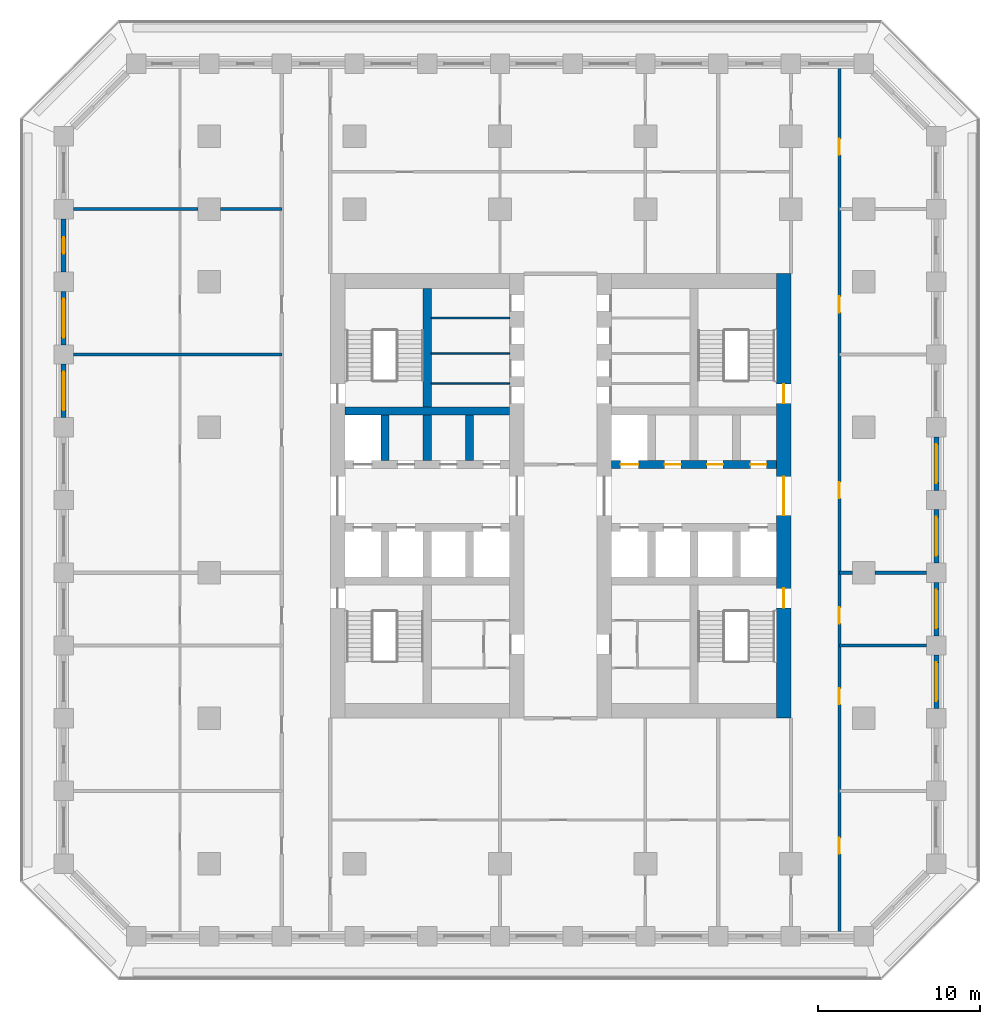
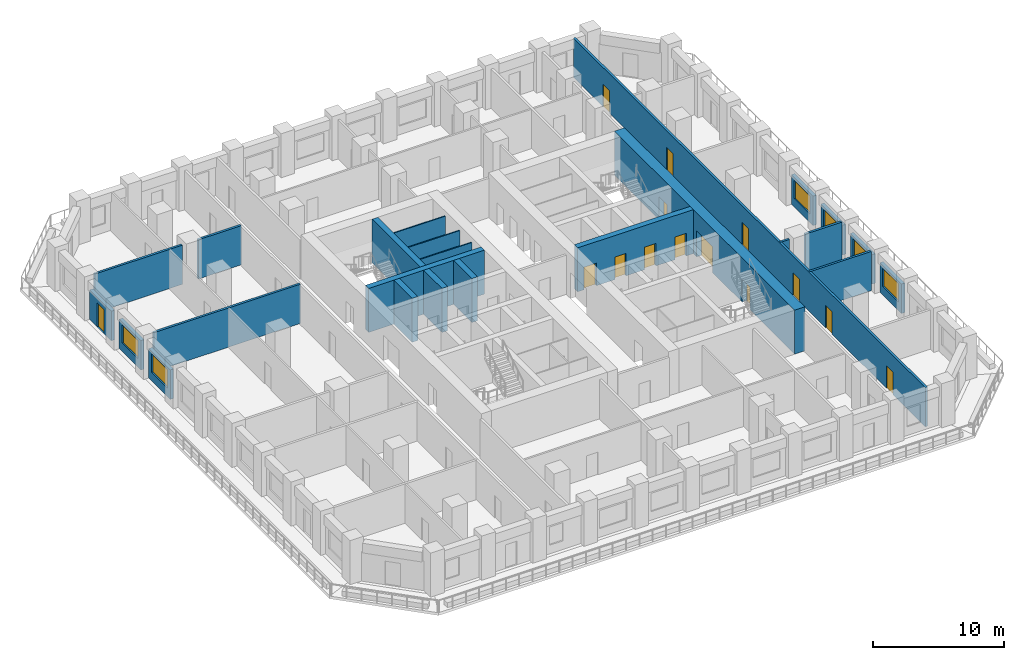
# One storey, part 6 of 16: 24 walls, 14 doors, 6 windows, 20 openings.
"""IFC4 building model written with IfcOpenShell, lengths in metres."""

from ifc_helpers import new_model, si_unit, direction, frame, frame_2d, origin, place, context, subcontext, project, spatial, rectangle, extrude, material, layer, layer_set, type_object, element, fill, save


model = new_model("IFC4")

# Units and contexts
model_context = context("Model", 3, precision=1e-05, world=origin(), true_north=direction((0.0, 1.0)))
body_context = subcontext(model_context, "Body", "Model", "MODEL_VIEW")
ifc_project = project(units=[si_unit("LENGTHUNIT", "METRE"), si_unit("AREAUNIT", "SQUARE_METRE"), si_unit("VOLUMEUNIT", "CUBIC_METRE"), si_unit("PLANEANGLEUNIT", "RADIAN"), si_unit("MASSUNIT", "GRAM", prefix="KILO")], contexts=[model_context])

# Site, building, storey
site_placement = place(None, origin())
site = spatial("IfcSite", under=ifc_project, at=site_placement, CompositionType="ELEMENT")
building_placement = place(site_placement, origin())
building = spatial("IfcBuilding", under=site, at=building_placement, Name="Corbel Stack Research Tower", CompositionType="ELEMENT")
storey_placement = place(building_placement, frame((0.0, 0.0, 120.800048828125)))
storey = spatial("IfcBuildingStorey", under=building, at=storey_placement, Name="L27", CompositionType="ELEMENT", Elevation=120.800048828125)

# Walls
ifc_material_1 = material(Name="Concrete C70/85", Category="concrete")
ifc_layer_1 = layer(ifc_material_1, 0.5)
ifc_layer_set_1 = layer_set([ifc_layer_1], Name="Concrete C70/85")
wall_type_1 = type_object("IfcWallType", Name="CW-500-70", PredefinedType="SHEAR", material=ifc_layer_set_1)
wall_1_placement = place(storey_placement, frame((-9.60009765625, 10.0, 0.0), z_axis=(0.0, 0.0, 1.0), x_axis=(1.0, 0.0, 0.0)))
element("IfcWall", 1, at=wall_1_placement, inside=storey, type_object=wall_type_1, Name="West core wall, north row back L27", PredefinedType="SHEAR", context=body_context, shape_type="SweptSolid", body=[
    extrude(rectangle(XDim=10.2001953125, YDim=0.5, at=frame_2d((5.10009765625, 0.0))), origin(), (0.0, 0.0, 1.0), 4.099853515625),
])
for number, where, z_axis, x_axis, name in (
    (2, (-7.125, 6.949951171875, 0.0), (0.0, 0.0, 1.0), (0.0, 1.0, 0.0), "West core wall, north shaft 1 L27"),
    (3, (-4.5, 6.949951171875, 0.0), (0.0, 0.0, 1.0), (0.0, 1.0, 0.0), "West core wall, north shaft 2 L27"),
    (4, (-1.875, 6.949951171875, 0.0), (0.0, 0.0, 1.0), (0.0, 1.0, 0.0), "West core wall, north shaft 3 L27"),
):
    element("IfcWall", number, at=place(storey_placement, frame(where, z_axis=z_axis, x_axis=x_axis)), inside=storey, type_object=wall_type_1, Name=name, PredefinedType="SHEAR", context=body_context, shape_type="SweptSolid", body=[
        extrude(rectangle(XDim=2.800048828125, YDim=0.5, at=frame_2d((1.39990234375, 0.0))), origin(), (0.0, 0.0, 1.0), 4.099853515625),
    ])
wall_2_placement = place(storey_placement, frame((-4.5, 10.25, 0.0), z_axis=(0.0, 0.0, 1.0), x_axis=(0.0, 1.0, 0.0)))
element("IfcWall", 5, at=wall_2_placement, inside=storey, type_object=wall_type_1, Name="West core wall, north stair and riser L27", PredefinedType="SHEAR", context=body_context, shape_type="SweptSolid", body=[
    extrude(rectangle(XDim=7.35009765625, YDim=0.5, at=frame_2d((3.675048828125, 0.0))), origin(), (0.0, 0.0, 1.0), 4.099853515625),
])

# Wall, openings, doors
wall_3_placement = place(storey_placement, frame((6.89990234375, 6.699951171875, 0.0), z_axis=(0.0, 0.0, 1.0), x_axis=(1.0, 0.0, 0.0)))
wall_3 = element("IfcWall", 6, at=wall_3_placement, inside=storey, type_object=wall_type_1, Name="East core wall, lobby north L27", PredefinedType="SHEAR", context=body_context, shape_type="SweptSolid", body=[
    extrude(rectangle(XDim=10.2001953125, YDim=0.5, at=frame_2d((5.10009765625, 0.0))), origin(), (0.0, 0.0, 1.0), 4.099853515625),
])
opening_1_placement = place(wall_3_placement, frame((0.5625, 0.0, 0.0)))
opening_1 = element("IfcOpeningElement", 7, at=opening_1_placement, cuts=wall_3, Name="Opening LD-LR4", PredefinedType="OPENING", context=body_context, shape_type="SweptSolid", body=[
    extrude(rectangle(XDim=1.10009765625, YDim=2.10009765625, at=frame_2d((0.550048828125, 1.050048828125))), frame((0.0, 0.260009765625, 0.0), z_axis=(0.0, -1.0, 0.0), x_axis=(1.0, 0.0, 0.0)), (0.0, 0.0, 1.0), 0.52001953125),
])
opening_2_placement = place(wall_3_placement, frame((3.28759765625, 0.0, 0.0)))
opening_2 = element("IfcOpeningElement", 8, at=opening_2_placement, cuts=wall_3, Name="Opening CR-E36-N2", PredefinedType="OPENING", context=body_context, shape_type="SweptSolid", body=[
    extrude(rectangle(XDim=1.0, YDim=2.10009765625, at=frame_2d((0.5, 1.050048828125))), frame((0.0, 0.260009765625, 0.0), z_axis=(0.0, -1.0, 0.0), x_axis=(1.0, 0.0, 0.0)), (0.0, 0.0, 1.0), 0.52001953125),
])
opening_3_placement = place(wall_3_placement, frame((5.91259765625, 0.0, 0.0)))
opening_3 = element("IfcOpeningElement", 9, at=opening_3_placement, cuts=wall_3, Name="Opening CR-E36-N3", PredefinedType="OPENING", context=body_context, shape_type="SweptSolid", body=[
    extrude(rectangle(XDim=1.0, YDim=2.10009765625, at=frame_2d((0.5, 1.050048828125))), frame((0.0, 0.260009765625, 0.0), z_axis=(0.0, -1.0, 0.0), x_axis=(1.0, 0.0, 0.0)), (0.0, 0.0, 1.0), 0.52001953125),
])
opening_4_placement = place(wall_3_placement, frame((8.58740234375, 0.0, 0.0)))
opening_4 = element("IfcOpeningElement", 10, at=opening_4_placement, cuts=wall_3, Name="Opening CR-E36-N4", PredefinedType="OPENING", context=body_context, shape_type="SweptSolid", body=[
    extrude(rectangle(XDim=1.0, YDim=2.10009765625, at=frame_2d((0.5, 1.050048828125))), frame((0.0, 0.260009765625, 0.0), z_axis=(0.0, -1.0, 0.0), x_axis=(1.0, 0.0, 0.0)), (0.0, 0.0, 1.0), 0.52001953125),
])
ifc_material_2 = material(Name="Stainless steel landing door", Category="steel")
door_type_1 = type_object("IfcDoorType", Name="Lift landing door 1100 x 2100", OperationType="DOUBLE_DOOR_SLIDING", PredefinedType="DOOR", material=ifc_material_2)
door_1_placement = place(opening_1_placement, origin())
door_1 = element("IfcDoor", 11, at=door_1_placement, inside=storey, type_object=door_type_1, Name="Landing door LR4", OperationType="DOUBLE_DOOR_SLIDING", OverallHeight=2.10009765625, OverallWidth=1.10009765625, PredefinedType="DOOR", context=body_context, shape_type="SweptSolid", body=[
    extrude(rectangle(XDim=1.10009765625, YDim=2.10009765625, at=frame_2d((0.550048828125, 1.050048828125))), frame((0.0, 0.02490234375, 0.0), z_axis=(0.0, -1.0, 0.0), x_axis=(1.0, 0.0, 0.0)), (0.0, 0.0, 1.0), 0.050048828125),
])
fill(opening_1, door_1)
ifc_material_3 = material(Name="Painted steel door", Category="steel")
door_type_2 = type_object("IfcDoorType", Name="Service door 1000 x 2100 FD60 left hand", OperationType="SINGLE_SWING_LEFT", PredefinedType="DOOR", material=ifc_material_3)
door_2_placement = place(opening_3_placement, origin())
door_2 = element("IfcDoor", 12, at=door_2_placement, inside=storey, type_object=door_type_2, Name="Cleaner's store door E core", OperationType="SINGLE_SWING_LEFT", OverallHeight=2.10009765625, OverallWidth=1.0, PredefinedType="DOOR", context=body_context, shape_type="SweptSolid", body=[
    extrude(rectangle(XDim=1.0, YDim=2.10009765625, at=frame_2d((0.5, 1.050048828125))), frame((0.0, 0.02490234375, 0.0), z_axis=(0.0, -1.0, 0.0), x_axis=(1.0, 0.0, 0.0)), (0.0, 0.0, 1.0), 0.050048828125),
])
fill(opening_3, door_2)
ifc_material_4 = material(Name="Painted steel door", Category="steel")
door_type_3 = type_object("IfcDoorType", Name="Service door 1000 x 2100 FD60 right hand", OperationType="SINGLE_SWING_RIGHT", PredefinedType="DOOR", material=ifc_material_4)
door_3_placement = place(opening_2_placement, origin())
door_3 = element("IfcDoor", 13, at=door_3_placement, inside=storey, type_object=door_type_3, Name="Laboratory consumables store door E core", OperationType="SINGLE_SWING_RIGHT", OverallHeight=2.10009765625, OverallWidth=1.0, PredefinedType="DOOR", context=body_context, shape_type="SweptSolid", body=[
    extrude(rectangle(XDim=1.0, YDim=2.10009765625, at=frame_2d((0.5, 1.050048828125))), frame((0.0, 0.02490234375, 0.0), z_axis=(0.0, -1.0, 0.0), x_axis=(1.0, 0.0, 0.0)), (0.0, 0.0, 1.0), 0.050048828125),
])
fill(opening_2, door_3)
door_4_placement = place(opening_4_placement, origin())
door_4 = element("IfcDoor", 14, at=door_4_placement, inside=storey, type_object=door_type_3, Name="Vending bay door E core", OperationType="SINGLE_SWING_RIGHT", OverallHeight=2.10009765625, OverallWidth=1.0, PredefinedType="DOOR", context=body_context, shape_type="SweptSolid", body=[
    extrude(rectangle(XDim=1.0, YDim=2.10009765625, at=frame_2d((0.5, 1.050048828125))), frame((0.0, 0.02490234375, 0.0), z_axis=(0.0, -1.0, 0.0), x_axis=(1.0, 0.0, 0.0)), (0.0, 0.0, 1.0), 0.050048828125),
])
fill(opening_4, door_4)

ifc_material_5 = material(Name="Concrete C70/85", Category="concrete")
ifc_layer_2 = layer(ifc_material_5, 0.89990234375)
ifc_layer_set_2 = layer_set([ifc_layer_2], Name="Concrete C70/85")
wall_type_2 = type_object("IfcWallType", Name="CW-900-70", PredefinedType="SHEAR", material=ifc_layer_set_2)
wall_4_placement = place(storey_placement, frame((17.550048828125, -9.0, 0.0), z_axis=(0.0, 0.0, 1.0), x_axis=(0.0, 1.0, 0.0)))
wall_4 = element("IfcWall", 15, at=wall_4_placement, inside=storey, type_object=wall_type_2, Name="East core wall, east face L27", PredefinedType="SHEAR", context=body_context, shape_type="SweptSolid", body=[
    extrude(rectangle(XDim=27.5, YDim=0.89990234375, at=frame_2d((13.75, 0.0))), origin(), (0.0, 0.0, 1.0), 4.099853515625),
])
opening_5_placement = place(wall_4_placement, frame((12.550048828125, 0.0, 0.0)))
opening_5 = element("IfcOpeningElement", 16, at=opening_5_placement, cuts=wall_4, Name="Opening CD-E-E", PredefinedType="OPENING", context=body_context, shape_type="SweptSolid", body=[
    extrude(rectangle(XDim=2.39990234375, YDim=2.39990234375, at=frame_2d((1.199951171875, 1.199951171875))), frame((0.0, 0.4599609375, 0.0), z_axis=(0.0, -1.0, 0.0), x_axis=(1.0, 0.0, 0.0)), (0.0, 0.0, 1.0), 0.919921875),
])
opening_6_placement = place(wall_4_placement, frame((6.824951171875, 0.0, 0.0)))
opening_6 = element("IfcOpeningElement", 17, at=opening_6_placement, cuts=wall_4, Name="Opening SD-ST-E1", PredefinedType="OPENING", context=body_context, shape_type="SweptSolid", body=[
    extrude(rectangle(XDim=1.199951171875, YDim=2.10009765625, at=frame_2d((0.60009765625, 1.050048828125))), frame((0.0, 0.4599609375, 0.0), z_axis=(0.0, -1.0, 0.0), x_axis=(1.0, 0.0, 0.0)), (0.0, 0.0, 1.0), 0.919921875),
])
opening_7_placement = place(wall_4_placement, frame((19.47509765625, 0.0, 0.0)))
opening_7 = element("IfcOpeningElement", 18, at=opening_7_placement, cuts=wall_4, Name="Opening SD-ST-E2", PredefinedType="OPENING", context=body_context, shape_type="SweptSolid", body=[
    extrude(rectangle(XDim=1.199951171875, YDim=2.10009765625, at=frame_2d((0.60009765625, 1.050048828125))), frame((0.0, 0.4599609375, 0.0), z_axis=(0.0, -1.0, 0.0), x_axis=(1.0, 0.0, 0.0)), (0.0, 0.0, 1.0), 0.919921875),
])
ifc_material_6 = material(Name="Painted steel fire door", Category="steel")
door_type_4 = type_object("IfcDoorType", Name="Lobby door pair 2400 x 2400 FD30S", OperationType="DOUBLE_DOOR_DOUBLE_SWING", PredefinedType="DOOR", material=ifc_material_6)
door_5_placement = place(opening_5_placement, origin())
door_5 = element("IfcDoor", 19, at=door_5_placement, inside=storey, type_object=door_type_4, Name="Lift lobby door E core E", OperationType="DOUBLE_DOOR_DOUBLE_SWING", OverallHeight=2.39990234375, OverallWidth=2.39990234375, PredefinedType="DOOR", context=body_context, shape_type="SweptSolid", body=[
    extrude(rectangle(XDim=2.39990234375, YDim=2.39990234375, at=frame_2d((1.199951171875, 1.199951171875))), frame((0.0, 0.02490234375, 0.0), z_axis=(0.0, -1.0, 0.0), x_axis=(1.0, 0.0, 0.0)), (0.0, 0.0, 1.0), 0.050048828125),
])
fill(opening_5, door_5)
ifc_material_7 = material(Name="Painted steel fire door", Category="steel")
door_type_5 = type_object("IfcDoorType", Name="Stair door 1200 x 2100 FD90 right hand", OperationType="SINGLE_SWING_RIGHT", PredefinedType="DOOR", material=ifc_material_7)
door_6_placement = place(opening_6_placement, frame((1.199951171875, 0.0, 0.0), z_axis=(0.0, 0.0, 1.0), x_axis=(-1.0, 0.0, 0.0)))
door_6 = element("IfcDoor", 20, at=door_6_placement, inside=storey, type_object=door_type_5, Name="Stair door ST-E1", OperationType="SINGLE_SWING_LEFT", OverallHeight=2.10009765625, OverallWidth=1.199951171875, PredefinedType="DOOR", context=body_context, shape_type="SweptSolid", body=[
    extrude(rectangle(XDim=1.199951171875, YDim=2.10009765625, at=frame_2d((0.60009765625, 1.050048828125))), frame((0.0, 0.02490234375, 0.0), z_axis=(0.0, -1.0, 0.0), x_axis=(1.0, 0.0, 0.0)), (0.0, 0.0, 1.0), 0.050048828125),
])
fill(opening_6, door_6)
door_7_placement = place(opening_7_placement, frame((1.199951171875, 0.0, 0.0), z_axis=(0.0, 0.0, 1.0), x_axis=(-1.0, 0.0, 0.0)))
door_7 = element("IfcDoor", 21, at=door_7_placement, inside=storey, type_object=door_type_5, Name="Stair door ST-E2", OperationType="SINGLE_SWING_LEFT", OverallHeight=2.10009765625, OverallWidth=1.199951171875, PredefinedType="DOOR", context=body_context, shape_type="SweptSolid", body=[
    extrude(rectangle(XDim=1.199951171875, YDim=2.10009765625, at=frame_2d((0.60009765625, 1.050048828125))), frame((0.0, 0.02490234375, 0.0), z_axis=(0.0, -1.0, 0.0), x_axis=(1.0, 0.0, 0.0)), (0.0, 0.0, 1.0), 0.050048828125),
])
fill(opening_7, door_7)

# Walls
ifc_material_8 = material(Name="Gypsum board")
ifc_layer_3 = layer(ifc_material_8, 0.10009765625)
ifc_layer_set_3 = layer_set([ifc_layer_3], Name="Gypsum board")
wall_type_3 = type_object("IfcWallType", Name="Core partition 100", PredefinedType="PARTITIONING", material=ifc_layer_set_3)
for number, where, z_axis, x_axis, name in (
    (22, (-4.25, 11.719970703125, 0.0), (0.0, 0.0, 1.0), (1.0, 0.0, 0.0), "Core partition W"),
    (23, (-4.25, 13.5576171875, 0.0), (0.0, 0.0, 1.0), (1.0, 0.0, 0.0), "Core partition W"),
    (24, (-4.25, 15.762451171875, 0.0), (0.0, 0.0, 1.0), (1.0, 0.0, 0.0), "Core partition W"),
):
    element("IfcWall", number, at=place(storey_placement, frame(where, z_axis=z_axis, x_axis=x_axis)), inside=storey, type_object=wall_type_3, Name=name, PredefinedType="PARTITIONING", context=body_context, shape_type="SweptSolid", body=[
        extrude(rectangle(XDim=4.85009765625, YDim=0.10009765625, at=frame_2d((2.425048828125, 0.0))), origin(), (0.0, 0.0, 1.0), 3.64990234375),
    ])

# Wall, openings, doors
ifc_material_9 = material(Name="Fire-rated gypsum board partition on steel studs", Category="steel")
ifc_layer_4 = layer(ifc_material_9, 0.199951171875)
ifc_layer_set_4 = layer_set([ifc_layer_4], Name="Fire-rated gypsum board partition on steel studs")
wall_type_4 = type_object("IfcWallType", Name="Fire-rated partition 200 EI 60", PredefinedType="PARTITIONING", material=ifc_layer_set_4)
wall_5_placement = place(storey_placement, frame((21.0, 31.35009765625, 0.0), z_axis=(0.0, 0.0, 1.0), x_axis=(0.0, -1.0, 0.0)))
wall_5 = element("IfcWall", 25, at=wall_5_placement, inside=storey, type_object=wall_type_4, Name="Partition L27-022", PredefinedType="PARTITIONING", context=body_context, shape_type="SweptSolid", body=[
    extrude(rectangle(XDim=53.7001953125, YDim=0.199951171875, at=frame_2d((26.85009765625, 0.0))), origin(), (0.0, 0.0, 1.0), 3.64990234375),
])
opening_8_placement = place(wall_5_placement, frame((47.75, 0.0, 0.0)))
opening_8 = element("IfcOpeningElement", 26, at=opening_8_placement, cuts=wall_5, Name="Opening B4V0-026", PredefinedType="OPENING", context=body_context, shape_type="SweptSolid", body=[
    extrude(rectangle(XDim=1.0, YDim=2.10009765625, at=frame_2d((0.5, 1.050048828125))), frame((0.0, 0.10986328125, 0.0), z_axis=(0.0, -1.0, 0.0), x_axis=(1.0, 0.0, 0.0)), (0.0, 0.0, 1.0), 0.219970703125),
])
opening_9_placement = place(wall_5_placement, frame((38.5, 0.0, 0.0)))
opening_9 = element("IfcOpeningElement", 27, at=opening_9_placement, cuts=wall_5, Name="Opening B4V0-027", PredefinedType="OPENING", context=body_context, shape_type="SweptSolid", body=[
    extrude(rectangle(XDim=1.0, YDim=2.10009765625, at=frame_2d((0.5, 1.050048828125))), frame((0.0, 0.10986328125, 0.0), z_axis=(0.0, -1.0, 0.0), x_axis=(1.0, 0.0, 0.0)), (0.0, 0.0, 1.0), 0.219970703125),
])
opening_10_placement = place(wall_5_placement, frame((33.5, 0.0, 0.0)))
opening_10 = element("IfcOpeningElement", 28, at=opening_10_placement, cuts=wall_5, Name="Opening B4V0-028", PredefinedType="OPENING", context=body_context, shape_type="SweptSolid", body=[
    extrude(rectangle(XDim=1.0, YDim=2.10009765625, at=frame_2d((0.5, 1.050048828125))), frame((0.0, 0.10986328125, 0.0), z_axis=(0.0, -1.0, 0.0), x_axis=(1.0, 0.0, 0.0)), (0.0, 0.0, 1.0), 0.219970703125),
])
opening_11_placement = place(wall_5_placement, frame((25.75, 0.0, 0.0)))
opening_11 = element("IfcOpeningElement", 29, at=opening_11_placement, cuts=wall_5, Name="Opening B4V0-029", PredefinedType="OPENING", context=body_context, shape_type="SweptSolid", body=[
    extrude(rectangle(XDim=1.0, YDim=2.10009765625, at=frame_2d((0.5, 1.050048828125))), frame((0.0, 0.10986328125, 0.0), z_axis=(0.0, -1.0, 0.0), x_axis=(1.0, 0.0, 0.0)), (0.0, 0.0, 1.0), 0.219970703125),
])
opening_12_placement = place(wall_5_placement, frame((14.25, 0.0, 0.0)))
opening_12 = element("IfcOpeningElement", 30, at=opening_12_placement, cuts=wall_5, Name="Opening B4V0-030", PredefinedType="OPENING", context=body_context, shape_type="SweptSolid", body=[
    extrude(rectangle(XDim=1.0, YDim=2.10009765625, at=frame_2d((0.5, 1.050048828125))), frame((0.0, 0.10986328125, 0.0), z_axis=(0.0, -1.0, 0.0), x_axis=(1.0, 0.0, 0.0)), (0.0, 0.0, 1.0), 0.219970703125),
])
opening_13_placement = place(wall_5_placement, frame((4.5, 0.0, 0.0)))
opening_13 = element("IfcOpeningElement", 31, at=opening_13_placement, cuts=wall_5, Name="Opening B4V0-031", PredefinedType="OPENING", context=body_context, shape_type="SweptSolid", body=[
    extrude(rectangle(XDim=1.0, YDim=2.10009765625, at=frame_2d((0.5, 1.050048828125))), frame((0.0, 0.10986328125, 0.0), z_axis=(0.0, -1.0, 0.0), x_axis=(1.0, 0.0, 0.0)), (0.0, 0.0, 1.0), 0.219970703125),
])
ifc_material_10 = material(Name="Painted steel fire door", Category="steel")
door_type_6 = type_object("IfcDoorType", Name="Fire door FD30S 1000 x 2100", OperationType="NOTDEFINED", PredefinedType="DOOR", material=ifc_material_10)
door_8_placement = place(opening_8_placement, origin())
door_8 = element("IfcDoor", 32, at=door_8_placement, inside=storey, type_object=door_type_6, Name="Door B4V0-026", OperationType="SINGLE_SWING_RIGHT", OverallHeight=2.10009765625, OverallWidth=1.0, PredefinedType="DOOR", context=body_context, shape_type="SweptSolid", body=[
    extrude(rectangle(XDim=1.0, YDim=2.10009765625, at=frame_2d((0.5, 1.050048828125))), frame((0.0, 0.02490234375, 0.0), z_axis=(0.0, -1.0, 0.0), x_axis=(1.0, 0.0, 0.0)), (0.0, 0.0, 1.0), 0.050048828125),
])
fill(opening_8, door_8)
door_9_placement = place(opening_9_placement, origin())
door_9 = element("IfcDoor", 33, at=door_9_placement, inside=storey, type_object=door_type_6, Name="Door B4V0-027", OperationType="SINGLE_SWING_RIGHT", OverallHeight=2.10009765625, OverallWidth=1.0, PredefinedType="DOOR", context=body_context, shape_type="SweptSolid", body=[
    extrude(rectangle(XDim=1.0, YDim=2.10009765625, at=frame_2d((0.5, 1.050048828125))), frame((0.0, 0.02490234375, 0.0), z_axis=(0.0, -1.0, 0.0), x_axis=(1.0, 0.0, 0.0)), (0.0, 0.0, 1.0), 0.050048828125),
])
fill(opening_9, door_9)
door_10_placement = place(opening_10_placement, origin())
door_10 = element("IfcDoor", 34, at=door_10_placement, inside=storey, type_object=door_type_6, Name="Door B4V0-028", OperationType="SINGLE_SWING_RIGHT", OverallHeight=2.10009765625, OverallWidth=1.0, PredefinedType="DOOR", context=body_context, shape_type="SweptSolid", body=[
    extrude(rectangle(XDim=1.0, YDim=2.10009765625, at=frame_2d((0.5, 1.050048828125))), frame((0.0, 0.02490234375, 0.0), z_axis=(0.0, -1.0, 0.0), x_axis=(1.0, 0.0, 0.0)), (0.0, 0.0, 1.0), 0.050048828125),
])
fill(opening_10, door_10)
door_11_placement = place(opening_11_placement, origin())
door_11 = element("IfcDoor", 35, at=door_11_placement, inside=storey, type_object=door_type_6, Name="Door B4V0-029", OperationType="SINGLE_SWING_LEFT", OverallHeight=2.10009765625, OverallWidth=1.0, PredefinedType="DOOR", context=body_context, shape_type="SweptSolid", body=[
    extrude(rectangle(XDim=1.0, YDim=2.10009765625, at=frame_2d((0.5, 1.050048828125))), frame((0.0, 0.02490234375, 0.0), z_axis=(0.0, -1.0, 0.0), x_axis=(1.0, 0.0, 0.0)), (0.0, 0.0, 1.0), 0.050048828125),
])
fill(opening_11, door_11)
door_12_placement = place(opening_12_placement, origin())
door_12 = element("IfcDoor", 36, at=door_12_placement, inside=storey, type_object=door_type_6, Name="Door B4V0-030", OperationType="SINGLE_SWING_LEFT", OverallHeight=2.10009765625, OverallWidth=1.0, PredefinedType="DOOR", context=body_context, shape_type="SweptSolid", body=[
    extrude(rectangle(XDim=1.0, YDim=2.10009765625, at=frame_2d((0.5, 1.050048828125))), frame((0.0, 0.02490234375, 0.0), z_axis=(0.0, -1.0, 0.0), x_axis=(1.0, 0.0, 0.0)), (0.0, 0.0, 1.0), 0.050048828125),
])
fill(opening_12, door_12)
door_13_placement = place(opening_13_placement, origin())
door_13 = element("IfcDoor", 37, at=door_13_placement, inside=storey, type_object=door_type_6, Name="Door B4V0-031", OperationType="SINGLE_SWING_LEFT", OverallHeight=2.10009765625, OverallWidth=1.0, PredefinedType="DOOR", context=body_context, shape_type="SweptSolid", body=[
    extrude(rectangle(XDim=1.0, YDim=2.10009765625, at=frame_2d((0.5, 1.050048828125))), frame((0.0, 0.02490234375, 0.0), z_axis=(0.0, -1.0, 0.0), x_axis=(1.0, 0.0, 0.0)), (0.0, 0.0, 1.0), 0.050048828125),
])
fill(opening_13, door_13)

# Walls
wall_6_placement = place(storey_placement, frame((21.0, -4.5, 0.0), z_axis=(0.0, 0.0, 1.0), x_axis=(1.0, 0.0, 0.0)))
element("IfcWall", 38, at=wall_6_placement, inside=storey, type_object=wall_type_4, Name="Partition L27-028", PredefinedType="PARTITIONING", context=body_context, shape_type="SweptSolid", body=[
    extrude(rectangle(XDim=5.39990234375, YDim=0.199951171875, at=frame_2d((2.699951171875, 0.0))), origin(), (0.0, 0.0, 1.0), 3.64990234375),
])
wall_7_placement = place(storey_placement, frame((21.0, 0.0, 0.0), z_axis=(0.0, 0.0, 1.0), x_axis=(1.0, 0.0, 0.0)))
element("IfcWall", 39, at=wall_7_placement, inside=storey, type_object=wall_type_4, Name="Partition L27-031", PredefinedType="PARTITIONING", context=body_context, shape_type="SweptSolid", body=[
    extrude(rectangle(XDim=0.800048828125, YDim=0.199951171875, at=frame_2d((0.39990234375, 0.0))), origin(), (0.0, 0.0, 1.0), 3.64990234375),
])
wall_8_placement = place(storey_placement, frame((23.199951171875, 0.0, 0.0), z_axis=(0.0, 0.0, 1.0), x_axis=(1.0, 0.0, 0.0)))
element("IfcWall", 40, at=wall_8_placement, inside=storey, type_object=wall_type_4, Name="Partition L27-032", PredefinedType="PARTITIONING", context=body_context, shape_type="SweptSolid", body=[
    extrude(rectangle(XDim=3.199951171875, YDim=0.199951171875, at=frame_2d((1.60009765625, 0.0))), origin(), (0.0, 0.0, 1.0), 3.64990234375),
])
wall_9_placement = place(storey_placement, frame((-26.39990234375, 13.5, 0.0), z_axis=(0.0, 0.0, 1.0), x_axis=(1.0, 0.0, 0.0)))
element("IfcWall", 41, at=wall_9_placement, inside=storey, type_object=wall_type_4, Name="Partition L27-034", PredefinedType="PARTITIONING", context=body_context, shape_type="SweptSolid", body=[
    extrude(rectangle(XDim=12.89990234375, YDim=0.199951171875, at=frame_2d((6.449951171875, 0.0))), origin(), (0.0, 0.0, 1.0), 3.64990234375),
])
wall_10_placement = place(storey_placement, frame((-26.39990234375, 22.5, 0.0), z_axis=(0.0, 0.0, 1.0), x_axis=(1.0, 0.0, 0.0)))
element("IfcWall", 42, at=wall_10_placement, inside=storey, type_object=wall_type_4, Name="Partition L27-037", PredefinedType="PARTITIONING", context=body_context, shape_type="SweptSolid", body=[
    extrude(rectangle(XDim=7.699951171875, YDim=0.199951171875, at=frame_2d((3.85009765625, 0.0))), origin(), (0.0, 0.0, 1.0), 3.64990234375),
])
wall_11_placement = place(storey_placement, frame((-17.300048828125, 22.5, 0.0), z_axis=(0.0, 0.0, 1.0), x_axis=(1.0, 0.0, 0.0)))
element("IfcWall", 43, at=wall_11_placement, inside=storey, type_object=wall_type_4, Name="Partition L27-038", PredefinedType="PARTITIONING", context=body_context, shape_type="SweptSolid", body=[
    extrude(rectangle(XDim=3.800048828125, YDim=0.199951171875, at=frame_2d((1.89990234375, 0.0))), origin(), (0.0, 0.0, 1.0), 3.64990234375),
])

# Wall, opening, window
ifc_material_11 = material(Name="Concrete C45/55", Category="concrete")
ifc_layer_5 = layer(ifc_material_11, 0.300048828125)
ifc_layer_set_5 = layer_set([ifc_layer_5], Name="Concrete C45/55")
wall_type_5 = type_object("IfcWallType", Name="Terracotta-faced concrete wall 300", PredefinedType="SOLIDWALL", material=ifc_layer_set_5)
wall_12_placement = place(storey_placement, frame((27.0, -5.10009765625, 0.0), z_axis=(0.0, 0.0, 1.0), x_axis=(0.0, -1.0, 0.0)))
wall_12 = element("IfcWall", 44, at=wall_12_placement, inside=storey, type_object=wall_type_5, Name="Facade wall L27 E03", PredefinedType="SOLIDWALL", context=body_context, shape_type="SweptSolid", body=[
    extrude(rectangle(XDim=3.2998046875, YDim=0.300048828125, at=frame_2d((1.64990234375, 0.0))), origin(), (0.0, 0.0, 1.0), 2.75),
])
opening_14_placement = place(wall_12_placement, frame((0.449951171875, 0.0, 0.800048828125)))
opening_14 = element("IfcOpeningElement", 45, at=opening_14_placement, cuts=wall_12, Name="Opening W1", PredefinedType="OPENING", context=body_context, shape_type="SweptSolid", body=[
    extrude(rectangle(XDim=2.39990234375, YDim=1.699951171875, at=frame_2d((1.199951171875, 0.85009765625))), frame((0.0, 0.159912109375, 0.0), z_axis=(0.0, -1.0, 0.0), x_axis=(1.0, 0.0, 0.0)), (0.0, 0.0, 1.0), 0.320068359375),
])
ifc_material_12 = material(Name="Aluminium frame, clear double glazing", Category="aluminium")
window_type = type_object("IfcWindowType", Name="Window W1 2400 x 1700", PartitioningType="SINGLE_PANEL", PredefinedType="WINDOW", material=ifc_material_12)
window_1_placement = place(opening_14_placement, origin())
window_1 = element("IfcWindow", 46, at=window_1_placement, inside=storey, type_object=window_type, Name="Window W1 L27 E03", OverallHeight=1.699951171875, OverallWidth=2.39990234375, PartitioningType="SINGLE_PANEL", PredefinedType="WINDOW", context=body_context, shape_type="SweptSolid", body=[
    extrude(rectangle(XDim=2.39990234375, YDim=1.699951171875, at=frame_2d((1.199951171875, 0.85009765625))), frame((0.0, 0.030029296875, 0.0), z_axis=(0.0, -1.0, 0.0), x_axis=(1.0, 0.0, 0.0)), (0.0, 0.0, 1.0), 0.06005859375),
])
fill(opening_14, window_1)

wall_13_placement = place(storey_placement, frame((27.0, -0.60009765625, 0.0), z_axis=(0.0, 0.0, 1.0), x_axis=(0.0, -1.0, 0.0)))
wall_13 = element("IfcWall", 47, at=wall_13_placement, inside=storey, type_object=wall_type_5, Name="Facade wall L27 E04", PredefinedType="SOLIDWALL", context=body_context, shape_type="SweptSolid", body=[
    extrude(rectangle(XDim=3.2998046875, YDim=0.300048828125, at=frame_2d((1.64990234375, 0.0))), origin(), (0.0, 0.0, 1.0), 2.75),
])
opening_15_placement = place(wall_13_placement, frame((0.449951171875, 0.0, 0.800048828125)))
opening_15 = element("IfcOpeningElement", 48, at=opening_15_placement, cuts=wall_13, Name="Opening W1", PredefinedType="OPENING", context=body_context, shape_type="SweptSolid", body=[
    extrude(rectangle(XDim=2.39990234375, YDim=1.699951171875, at=frame_2d((1.199951171875, 0.85009765625))), frame((0.0, 0.159912109375, 0.0), z_axis=(0.0, -1.0, 0.0), x_axis=(1.0, 0.0, 0.0)), (0.0, 0.0, 1.0), 0.320068359375),
])
window_2_placement = place(opening_15_placement, origin())
window_2 = element("IfcWindow", 49, at=window_2_placement, inside=storey, type_object=window_type, Name="Window W1 L27 E04", OverallHeight=1.699951171875, OverallWidth=2.39990234375, PartitioningType="SINGLE_PANEL", PredefinedType="WINDOW", context=body_context, shape_type="SweptSolid", body=[
    extrude(rectangle(XDim=2.39990234375, YDim=1.699951171875, at=frame_2d((1.199951171875, 0.85009765625))), frame((0.0, 0.030029296875, 0.0), z_axis=(0.0, -1.0, 0.0), x_axis=(1.0, 0.0, 0.0)), (0.0, 0.0, 1.0), 0.06005859375),
])
fill(opening_15, window_2)

wall_14_placement = place(storey_placement, frame((27.0, 3.89990234375, 0.0), z_axis=(0.0, 0.0, 1.0), x_axis=(0.0, -1.0, 0.0)))
wall_14 = element("IfcWall", 50, at=wall_14_placement, inside=storey, type_object=wall_type_5, Name="Facade wall L27 E05", PredefinedType="SOLIDWALL", context=body_context, shape_type="SweptSolid", body=[
    extrude(rectangle(XDim=3.2998046875, YDim=0.300048828125, at=frame_2d((1.64990234375, 0.0))), origin(), (0.0, 0.0, 1.0), 2.75),
])
opening_16_placement = place(wall_14_placement, frame((0.449951171875, 0.0, 0.800048828125)))
opening_16 = element("IfcOpeningElement", 51, at=opening_16_placement, cuts=wall_14, Name="Opening W1", PredefinedType="OPENING", context=body_context, shape_type="SweptSolid", body=[
    extrude(rectangle(XDim=2.39990234375, YDim=1.699951171875, at=frame_2d((1.199951171875, 0.85009765625))), frame((0.0, 0.159912109375, 0.0), z_axis=(0.0, -1.0, 0.0), x_axis=(1.0, 0.0, 0.0)), (0.0, 0.0, 1.0), 0.320068359375),
])
window_3_placement = place(opening_16_placement, origin())
window_3 = element("IfcWindow", 52, at=window_3_placement, inside=storey, type_object=window_type, Name="Window W1 L27 E05", OverallHeight=1.699951171875, OverallWidth=2.39990234375, PartitioningType="SINGLE_PANEL", PredefinedType="WINDOW", context=body_context, shape_type="SweptSolid", body=[
    extrude(rectangle(XDim=2.39990234375, YDim=1.699951171875, at=frame_2d((1.199951171875, 0.85009765625))), frame((0.0, 0.030029296875, 0.0), z_axis=(0.0, -1.0, 0.0), x_axis=(1.0, 0.0, 0.0)), (0.0, 0.0, 1.0), 0.06005859375),
])
fill(opening_16, window_3)

wall_15_placement = place(storey_placement, frame((27.0, 8.39990234375, 0.0), z_axis=(0.0, 0.0, 1.0), x_axis=(0.0, -1.0, 0.0)))
wall_15 = element("IfcWall", 53, at=wall_15_placement, inside=storey, type_object=wall_type_5, Name="Facade wall L27 E06", PredefinedType="SOLIDWALL", context=body_context, shape_type="SweptSolid", body=[
    extrude(rectangle(XDim=3.2998046875, YDim=0.300048828125, at=frame_2d((1.64990234375, 0.0))), origin(), (0.0, 0.0, 1.0), 2.75),
])
opening_17_placement = place(wall_15_placement, frame((0.449951171875, 0.0, 0.800048828125)))
opening_17 = element("IfcOpeningElement", 54, at=opening_17_placement, cuts=wall_15, Name="Opening W1", PredefinedType="OPENING", context=body_context, shape_type="SweptSolid", body=[
    extrude(rectangle(XDim=2.39990234375, YDim=1.699951171875, at=frame_2d((1.199951171875, 0.85009765625))), frame((0.0, 0.159912109375, 0.0), z_axis=(0.0, -1.0, 0.0), x_axis=(1.0, 0.0, 0.0)), (0.0, 0.0, 1.0), 0.320068359375),
])
window_4_placement = place(opening_17_placement, origin())
window_4 = element("IfcWindow", 55, at=window_4_placement, inside=storey, type_object=window_type, Name="Window W1 L27 E06", OverallHeight=1.699951171875, OverallWidth=2.39990234375, PartitioningType="SINGLE_PANEL", PredefinedType="WINDOW", context=body_context, shape_type="SweptSolid", body=[
    extrude(rectangle(XDim=2.39990234375, YDim=1.699951171875, at=frame_2d((1.199951171875, 0.85009765625))), frame((0.0, 0.030029296875, 0.0), z_axis=(0.0, -1.0, 0.0), x_axis=(1.0, 0.0, 0.0)), (0.0, 0.0, 1.0), 0.06005859375),
])
fill(opening_17, window_4)

# Wall, opening, door
wall_16_placement = place(storey_placement, frame((-27.0, 18.60009765625, 0.0), z_axis=(0.0, 0.0, 1.0), x_axis=(0.0, 1.0, 0.0)))
wall_16 = element("IfcWall", 56, at=wall_16_placement, inside=storey, type_object=wall_type_5, Name="Facade wall L27 W02", PredefinedType="SOLIDWALL", context=body_context, shape_type="SweptSolid", body=[
    extrude(rectangle(XDim=3.2998046875, YDim=0.300048828125, at=frame_2d((1.64990234375, 0.0))), origin(), (0.0, 0.0, 1.0), 2.75),
])
opening_18_placement = place(wall_16_placement, frame((1.14990234375, 0.0, 0.0)))
opening_18 = element("IfcOpeningElement", 57, at=opening_18_placement, cuts=wall_16, Name="Opening L27-B10", PredefinedType="OPENING", context=body_context, shape_type="SweptSolid", body=[
    extrude(rectangle(XDim=1.0, YDim=2.199951171875, at=frame_2d((0.5, 1.10009765625))), frame((0.0, 0.159912109375, 0.0), z_axis=(0.0, -1.0, 0.0), x_axis=(1.0, 0.0, 0.0)), (0.0, 0.0, 1.0), 0.320068359375),
])
ifc_material_13 = material(Name="Aluminium frame, clear double glazing", Category="aluminium")
door_type_7 = type_object("IfcDoorType", Name="Balcony door BD1 1000 x 2200", OperationType="NOTDEFINED", PredefinedType="DOOR", material=ifc_material_13)
door_14_placement = place(opening_18_placement, origin())
door_14 = element("IfcDoor", 58, at=door_14_placement, inside=storey, type_object=door_type_7, Name="Balcony door L27-B10", OperationType="SINGLE_SWING_LEFT", OverallHeight=2.199951171875, OverallWidth=1.0, PredefinedType="DOOR", context=body_context, shape_type="SweptSolid", body=[
    extrude(rectangle(XDim=1.0, YDim=2.199951171875, at=frame_2d((0.5, 1.10009765625))), frame((0.0, 0.02490234375, 0.0), z_axis=(0.0, -1.0, 0.0), x_axis=(1.0, 0.0, 0.0)), (0.0, 0.0, 1.0), 0.050048828125),
])
fill(opening_18, door_14)

# Wall, opening, window
wall_17_placement = place(storey_placement, frame((-27.0, 14.10009765625, 0.0), z_axis=(0.0, 0.0, 1.0), x_axis=(0.0, 1.0, 0.0)))
wall_17 = element("IfcWall", 59, at=wall_17_placement, inside=storey, type_object=wall_type_5, Name="Facade wall L27 W03", PredefinedType="SOLIDWALL", context=body_context, shape_type="SweptSolid", body=[
    extrude(rectangle(XDim=3.2998046875, YDim=0.300048828125, at=frame_2d((1.64990234375, 0.0))), origin(), (0.0, 0.0, 1.0), 2.75),
])
opening_19_placement = place(wall_17_placement, frame((0.449951171875, 0.0, 0.800048828125)))
opening_19 = element("IfcOpeningElement", 60, at=opening_19_placement, cuts=wall_17, Name="Opening W1", PredefinedType="OPENING", context=body_context, shape_type="SweptSolid", body=[
    extrude(rectangle(XDim=2.39990234375, YDim=1.699951171875, at=frame_2d((1.199951171875, 0.85009765625))), frame((0.0, 0.159912109375, 0.0), z_axis=(0.0, -1.0, 0.0), x_axis=(1.0, 0.0, 0.0)), (0.0, 0.0, 1.0), 0.320068359375),
])
window_5_placement = place(opening_19_placement, origin())
window_5 = element("IfcWindow", 61, at=window_5_placement, inside=storey, type_object=window_type, Name="Window W1 L27 W03", OverallHeight=1.699951171875, OverallWidth=2.39990234375, PartitioningType="SINGLE_PANEL", PredefinedType="WINDOW", context=body_context, shape_type="SweptSolid", body=[
    extrude(rectangle(XDim=2.39990234375, YDim=1.699951171875, at=frame_2d((1.199951171875, 0.85009765625))), frame((0.0, 0.030029296875, 0.0), z_axis=(0.0, -1.0, 0.0), x_axis=(1.0, 0.0, 0.0)), (0.0, 0.0, 1.0), 0.06005859375),
])
fill(opening_19, window_5)

wall_18_placement = place(storey_placement, frame((-27.0, 9.60009765625, 0.0), z_axis=(0.0, 0.0, 1.0), x_axis=(0.0, 1.0, 0.0)))
wall_18 = element("IfcWall", 62, at=wall_18_placement, inside=storey, type_object=wall_type_5, Name="Facade wall L27 W04", PredefinedType="SOLIDWALL", context=body_context, shape_type="SweptSolid", body=[
    extrude(rectangle(XDim=3.2998046875, YDim=0.300048828125, at=frame_2d((1.64990234375, 0.0))), origin(), (0.0, 0.0, 1.0), 2.75),
])
opening_20_placement = place(wall_18_placement, frame((0.449951171875, 0.0, 0.800048828125)))
opening_20 = element("IfcOpeningElement", 63, at=opening_20_placement, cuts=wall_18, Name="Opening W1", PredefinedType="OPENING", context=body_context, shape_type="SweptSolid", body=[
    extrude(rectangle(XDim=2.39990234375, YDim=1.699951171875, at=frame_2d((1.199951171875, 0.85009765625))), frame((0.0, 0.159912109375, 0.0), z_axis=(0.0, -1.0, 0.0), x_axis=(1.0, 0.0, 0.0)), (0.0, 0.0, 1.0), 0.320068359375),
])
window_6_placement = place(opening_20_placement, origin())
window_6 = element("IfcWindow", 64, at=window_6_placement, inside=storey, type_object=window_type, Name="Window W1 L27 W04", OverallHeight=1.699951171875, OverallWidth=2.39990234375, PartitioningType="SINGLE_PANEL", PredefinedType="WINDOW", context=body_context, shape_type="SweptSolid", body=[
    extrude(rectangle(XDim=2.39990234375, YDim=1.699951171875, at=frame_2d((1.199951171875, 0.85009765625))), frame((0.0, 0.030029296875, 0.0), z_axis=(0.0, -1.0, 0.0), x_axis=(1.0, 0.0, 0.0)), (0.0, 0.0, 1.0), 0.06005859375),
])
fill(opening_20, window_6)

save(model, "model.ifc")
